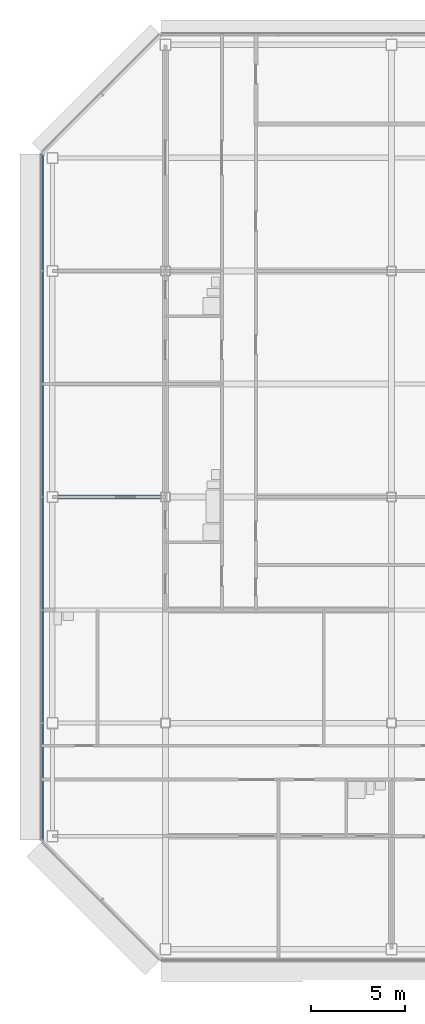
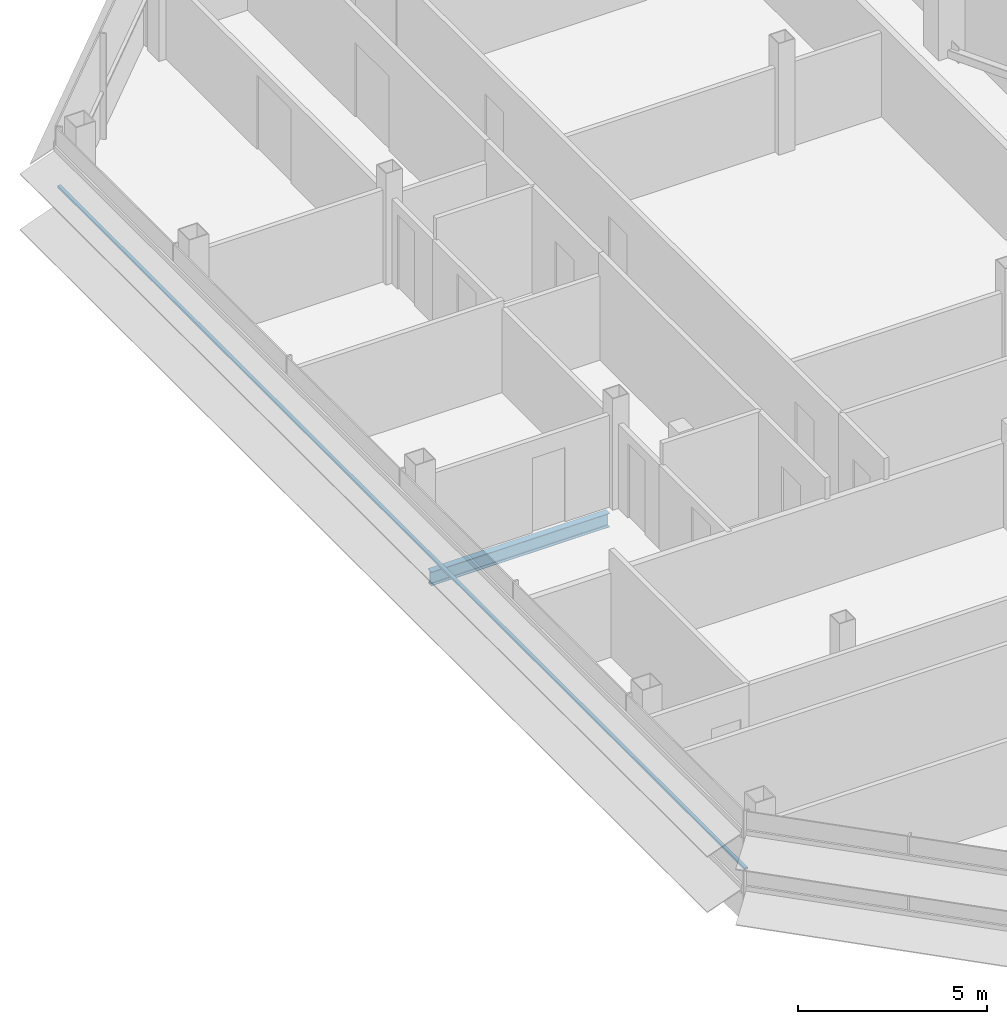
# One storey, part 6 of 27: 1 beam, 1 member, 1 element without a shape of its own.
"""IFC4 building model written with IfcOpenShell, lengths in metres."""

from ifc_helpers import new_model, si_unit, direction, frame, origin, origin_2d, place, context, subcontext, project, spatial, rectangle, i_section, extrude, material, material_profile, profile_set, type_object, element, aggregate, save


model = new_model("IFC4")

# Units and contexts
model_context = context("Model", 3, precision=1e-05, world=origin(), true_north=direction((0.0, 1.0)))
body_context = subcontext(model_context, "Body", "Model", "MODEL_VIEW")
ifc_project = project(units=[si_unit("LENGTHUNIT", "METRE"), si_unit("AREAUNIT", "SQUARE_METRE"), si_unit("VOLUMEUNIT", "CUBIC_METRE"), si_unit("PLANEANGLEUNIT", "RADIAN"), si_unit("MASSUNIT", "GRAM", prefix="KILO")], contexts=[model_context])

# Site, building, storey
site_placement = place(None, origin())
site = spatial("IfcSite", under=ifc_project, at=site_placement, CompositionType="ELEMENT")
building_placement = place(site_placement, origin())
building = spatial("IfcBuilding", under=site, at=building_placement, Name="Sorahane Residences", CompositionType="ELEMENT")
storey_placement = place(building_placement, frame((0.0, 0.0, 294.39990234375)))
storey = spatial("IfcBuildingStorey", under=building, at=storey_placement, Name="L69", CompositionType="ELEMENT", Elevation=294.39990234375)

# Curtain wall, member
ifc_material_1 = material(Name="Dark low-e glass and black anodised aluminium", Category="aluminium")
curtain_wall_type = type_object("IfcCurtainWallType", Name="Curtain wall CW-1 Typical unitised wall", PredefinedType="NOTDEFINED", material=ifc_material_1)
curtain_wall_placement = place(storey_placement, origin())
curtain_wall = element("IfcCurtainWall", 1, at=curtain_wall_placement, inside=storey, type_object=curtain_wall_type, Name="CW-1 curtain wall L69 W1", PredefinedType="NOTDEFINED")
ifc_material_2 = material(Name="Black anodised aluminium", Category="aluminium")
ifc_material_profile_1 = material_profile(ifc_material_2, rectangle(XDim=0.10009765625, YDim=0.06005859375, at=origin_2d()), Name="Curtain wall transom CW-1 black anodised aluminium 60x100")
ifc_profile_set_1 = profile_set([ifc_material_profile_1], Name="Black anodised aluminium")
member_type = type_object("IfcMemberType", Name="Curtain wall transom CW-1 black anodised aluminium 60x100", PredefinedType="USERDEFINED", material=ifc_profile_set_1)
member_placement = place(storey_placement, frame((-18.530029296875, 42.198486328125, 1.5), z_axis=(0.0, -1.0, 0.0), x_axis=(1.0, 0.0, 0.0)))
member = element("IfcMember", 2, at=member_placement, type_object=member_type, Name="CW-1 transom L69 W1", ObjectType="TRANSOM", PredefinedType="USERDEFINED", context=body_context, shape_type="SweptSolid", body=[
    extrude(rectangle(XDim=0.10009765625, YDim=0.06005859375, at=origin_2d()), origin(), (0.0, 0.0, 1.0), 36.39697265625),
])
aggregate(curtain_wall, [member])

# Beam
ifc_material_3 = material(Name="Steel Q355B", Category="steel")
ifc_material_profile_2 = material_profile(ifc_material_3, i_section(OverallWidth=0.199951171875, OverallDepth=0.449951171875, WebThickness=0.009033203125, FlangeThickness=0.013916015625, FilletRadius=0.02001953125, at=origin_2d()), Name="HN 450x200x9x14")
ifc_profile_set_2 = profile_set([ifc_material_profile_2], Name="Steel Q355B")
beam_type = type_object("IfcBeamType", Name="Steel floor beam HN 450x200x9x14 Q355B", PredefinedType="BEAM", material=ifc_profile_set_2)
beam_placement = place(storey_placement, frame((-17.699951171875, 24.0, -0.40478515625), z_axis=(1.0, 0.0, 0.0), x_axis=(0.0, 1.0, 0.0)))
element("IfcBeam", 3, at=beam_placement, inside=storey, type_object=beam_type, Name="Beam L69 011", PredefinedType="BEAM", context=body_context, shape_type="SweptSolid", body=[
    extrude(i_section(OverallWidth=0.199951171875, OverallDepth=0.449951171875, WebThickness=0.009033203125, FlangeThickness=0.013916015625, FilletRadius=0.02001953125, at=origin_2d()), origin(), (0.0, 0.0, 1.0), 5.449951171875),
])

save(model, "model.ifc")
